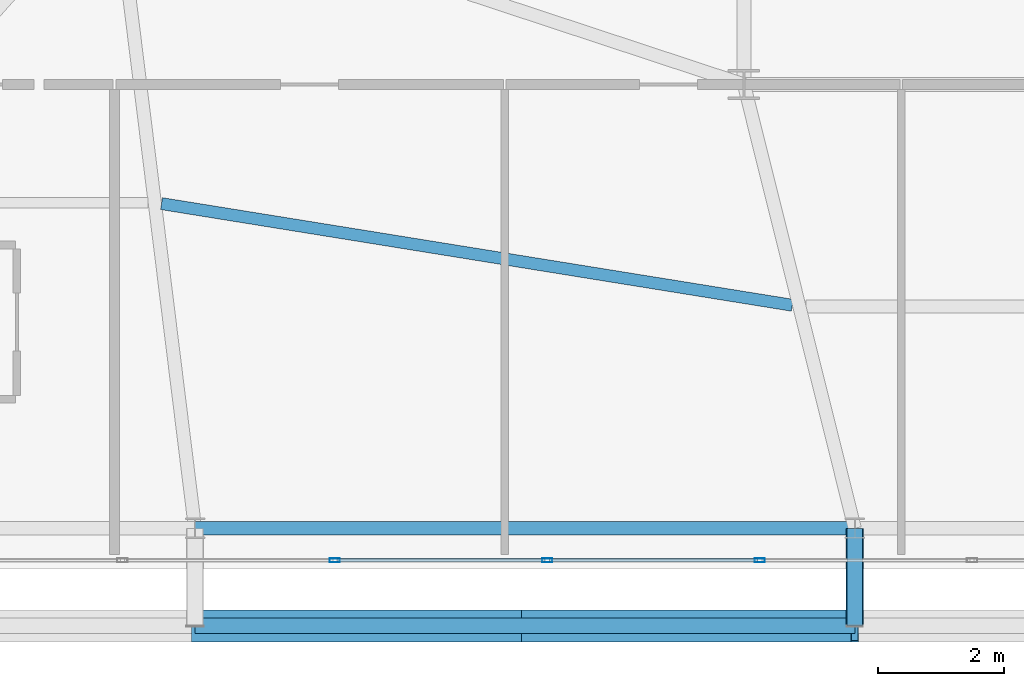
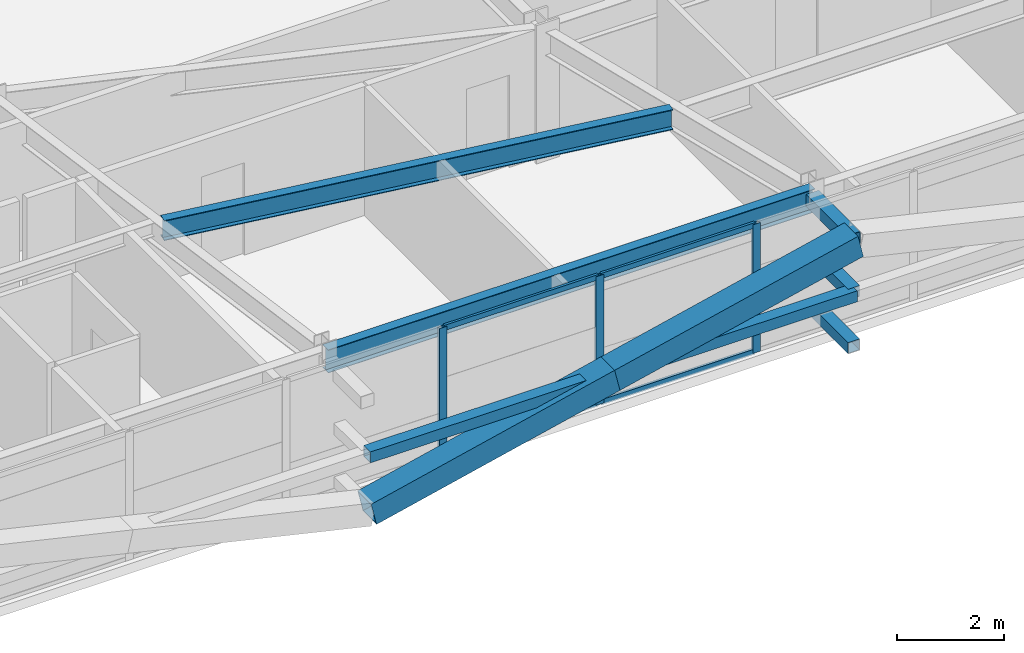
# One storey, part 11 of 58: 13 members, 2 beams, 1 element without a shape of its own.
"""IFC4 building model written with IfcOpenShell, lengths in metres."""

from ifc_helpers import new_model, si_unit, direction, frame, origin, origin_2d, place, context, subcontext, project, spatial, hollow_rectangle, i_section, extrude, source, transform, mapped, material, layer, layer_set, material_profile, profile_set, type_object, element, aggregate, save


model = new_model("IFC4")

# Units and contexts
model_context = context("Model", 3, precision=1e-05, world=origin(), true_north=direction((0.0, 1.0)))
body_context = subcontext(model_context, "Body", "Model", "MODEL_VIEW")
ifc_project = project(units=[si_unit("LENGTHUNIT", "METRE"), si_unit("AREAUNIT", "SQUARE_METRE"), si_unit("VOLUMEUNIT", "CUBIC_METRE"), si_unit("PLANEANGLEUNIT", "RADIAN"), si_unit("MASSUNIT", "GRAM", prefix="KILO")], contexts=[model_context])

# Site, building, storey
site_placement = place(None, origin())
site = spatial("IfcSite", under=ifc_project, at=site_placement, CompositionType="ELEMENT")
building_placement = place(site_placement, origin())
building = spatial("IfcBuilding", under=site, at=building_placement, Name="Taldren Reach Tower", CompositionType="ELEMENT")
storey_placement = place(building_placement, frame((0.0, 0.0, 51.449951171875)))
storey = spatial("IfcBuildingStorey", under=building, at=storey_placement, Name="L15", CompositionType="ELEMENT", Elevation=51.449951171875)

# Beams
ifc_material_1 = material(Name="Steel Gr 350 (350PLUS)", Category="steel")
ifc_material_profile_1 = material_profile(ifc_material_1, i_section(OverallWidth=0.208984375, OverallDepth=0.528076171875, WebThickness=0.009521484375, FlangeThickness=0.01318359375, at=origin_2d()), Name="530UB82.0")
ifc_profile_set_1 = profile_set([ifc_material_profile_1], Name="Steel Gr 350 (350PLUS)")
beam_type_1 = type_object("IfcBeamType", Name="SP-UB530B", PredefinedType="SPANDREL", material=ifc_profile_set_1)
shared_shape_1 = source(origin(), body_context, "Body", "SweptSolid", [
    extrude(i_section(OverallWidth=0.208984375, OverallDepth=0.528076171875, WebThickness=0.009521484375, FlangeThickness=0.01318359375, at=origin_2d()), origin(), (0.0, 0.0, 1.0), 10.47998046875),
])
beam_1_placement = place(storey_placement, frame((19.280029296875, 2.14990234375, 2.666015625), z_axis=(1.0, 0.0, 0.0), x_axis=(0.0, 1.0, 0.0)))
element("IfcBeam", 1, at=beam_1_placement, inside=storey, type_object=beam_type_1, Name="Perimeter spandrel B1 S2-S3 L15", PredefinedType="SPANDREL", context=body_context, shape_type="MappedRepresentation", body=[
    mapped(shared_shape_1, transform((0.0, 0.0, 0.0), scale=1.0)),
])
ifc_material_profile_2 = material_profile(ifc_material_1, i_section(OverallWidth=0.19091796875, OverallDepth=0.4599609375, WebThickness=0.010009765625, FlangeThickness=0.01611328125, at=origin_2d()), Name="460UB82.1")
ifc_profile_set_2 = profile_set([ifc_material_profile_2], Name="Steel Gr 350 (350PLUS)")
beam_type_2 = type_object("IfcBeamType", Name="BM-UB460A", PredefinedType="BEAM", material=ifc_profile_set_2)
shared_shape_2 = source(origin(), body_context, "Body", "SweptSolid", [
    extrude(i_section(OverallWidth=0.19091796875, OverallDepth=0.4599609375, WebThickness=0.010009765625, FlangeThickness=0.01611328125, at=origin_2d()), origin(), (0.0, 0.0, 1.0), 10.1494140625),
])
beam_2_placement = place(storey_placement, frame((18.74755859375, 7.3076171875, 2.699951171875), z_axis=(0.987266967452, -0.159072106224, 0.0), x_axis=(0.159072106224, 0.987266967452, 0.0)))
element("IfcBeam", 2, at=beam_2_placement, inside=storey, type_object=beam_type_2, Name="Secondary floor beam B1 J2 L15", PredefinedType="BEAM", context=body_context, shape_type="MappedRepresentation", body=[
    mapped(shared_shape_2, transform((0.0, 0.0, 0.0), scale=1.0)),
])

# Members
ifc_material_2 = material(Name="Steel Gr 450 (C450L0)", Category="steel")
ifc_material_profile_3 = material_profile(ifc_material_2, hollow_rectangle(XDim=0.27490234375, YDim=0.27490234375, WallThickness=0.00927734375, at=origin_2d()), Name="275x275x9.3SHS")
ifc_profile_set_3 = profile_set([ifc_material_profile_3], Name="Steel Gr 450 (C450L0)")
member_type_1 = type_object("IfcMemberType", Name="MB-TIE273", PredefinedType="STRUT", material=ifc_profile_set_3)
shared_shape_3 = source(origin(), body_context, "Body", "SweptSolid", [
    extrude(hollow_rectangle(XDim=0.27490234375, YDim=0.27490234375, WallThickness=0.00927734375, at=origin_2d()), origin(), (0.0, 0.0, 1.0), 1.5498046875),
])
member_1_placement = place(storey_placement, frame((29.760009765625, 2.14990234375, 2.650146484375), z_axis=(0.0, -1.0, 0.0), x_axis=(1.0, 0.0, 0.0)))
element("IfcMember", 3, at=member_1_placement, inside=storey, type_object=member_type_1, Name="Exoskeleton diaphragm tie strut B1-S3 L15", PredefinedType="STRUT", context=body_context, shape_type="MappedRepresentation", body=[
    mapped(shared_shape_3, transform((0.0, 0.0, 0.0), scale=1.0)),
])
ifc_material_profile_4 = material_profile(ifc_material_2, hollow_rectangle(XDim=0.510009765625, YDim=0.510009765625, WallThickness=0.02001953125, at=origin_2d()), Name="510x510x20.0SHS")
ifc_profile_set_4 = profile_set([ifc_material_profile_4], Name="Steel Gr 450 (C450L0)")
member_type_2 = type_object("IfcMemberType", Name="MB-EXO508", PredefinedType="BRACE", material=ifc_profile_set_4)
shared_shape_4 = source(origin(), body_context, "Body", "SweptSolid", [
    extrude(hollow_rectangle(XDim=0.510009765625, YDim=0.510009765625, WallThickness=0.02001953125, at=origin_2d()), origin(), (0.0, 0.0, 1.0), 5.37890625),
])
for number, where, z_axis, x_axis, name in (
    (4, (19.280029296875, 0.60009765625, 0.219970703125), (0.97415197996, 0.0, 0.225893603143), (0.0, 1.0, 0.0), "Exoskeleton Diagrid Brace B1-S2 L15"),
    (5, (24.52001953125, 0.60009765625, 1.43505859375), (0.97415197996, 0.0, 0.225893603143), (0.0, 1.0, 0.0), "Exoskeleton Diagrid Brace B1-S2 L15"),
):
    element("IfcMember", number, at=place(storey_placement, frame(where, z_axis=z_axis, x_axis=x_axis)), inside=storey, type_object=member_type_2, Name=name, PredefinedType="BRACE", context=body_context, shape_type="MappedRepresentation", body=[
        mapped(shared_shape_4, transform((0.0, 0.0, 0.0), scale=1.0)),
    ])
ifc_material_3 = material(Name="Steel Gr 350 (C350L0)", Category="steel")
ifc_material_profile_5 = material_profile(ifc_material_3, hollow_rectangle(XDim=0.25, YDim=0.25, WallThickness=0.010009765625, at=origin_2d()), Name="250x250x10.0SHS")
ifc_profile_set_5 = profile_set([ifc_material_profile_5], Name="Steel Gr 350 (C350L0)")
member_type_3 = type_object("IfcMemberType", Name="MB-POST250", PredefinedType="POST", material=ifc_profile_set_5)
shared_shape_5 = source(origin(), body_context, "Body", "SweptSolid", [
    extrude(hollow_rectangle(XDim=0.25, YDim=0.25, WallThickness=0.010009765625, at=origin_2d()), origin(), (0.0, 0.0, 1.0), 10.47998046875),
])
member_2_placement = place(storey_placement, frame((19.280029296875, 0.60009765625, 1.43505859375), z_axis=(1.0, 0.0, 0.0), x_axis=(0.0, 1.0, 0.0)))
element("IfcMember", 6, at=member_2_placement, inside=storey, type_object=member_type_3, Name="Exoskeleton mid-height ring chord B1-S2 L15", PredefinedType="POST", context=body_context, shape_type="MappedRepresentation", body=[
    mapped(shared_shape_5, transform((0.0, 0.0, 0.0), scale=1.0)),
])
shared_shape_6 = source(origin(), body_context, "Body", "SweptSolid", [
    extrude(hollow_rectangle(XDim=0.25, YDim=0.25, WallThickness=0.010009765625, at=origin_2d()), origin(), (0.0, 0.0, 1.0), 1.5498046875),
])
for number, where, z_axis, x_axis, name in (
    (7, (29.760009765625, 2.14990234375, 0.219970703125), (0.0, -1.0, 0.0), (1.0, 0.0, 0.0), "Exoskeleton base diaphragm tie strut B1-S3 L15"),
    (8, (29.760009765625, 2.14990234375, 1.43505859375), (0.0, -1.0, 0.0), (1.0, 0.0, 0.0), "Exoskeleton mid-tier diaphragm tie B1-S3 L15"),
):
    element("IfcMember", number, at=place(storey_placement, frame(where, z_axis=z_axis, x_axis=x_axis)), inside=storey, type_object=member_type_3, Name=name, PredefinedType="POST", context=body_context, shape_type="MappedRepresentation", body=[
        mapped(shared_shape_6, transform((0.0, 0.0, 0.0), scale=1.0)),
    ])

# Curtain wall, members
ifc_material_4 = material(Name="Aluminium and Low-E Glass Unitised System", Category="aluminium")
ifc_layer = layer(ifc_material_4, 0.159912109375)
ifc_layer_set = layer_set([ifc_layer], Name="Aluminium and Low-E Glass Unitised System")
curtain_wall_type = type_object("IfcCurtainWallType", Name="CW-SYS-2", PredefinedType="NOTDEFINED", material=ifc_layer_set)
curtain_wall_placement = place(storey_placement, origin())
curtain_wall = element("IfcCurtainWall", 9, at=curtain_wall_placement, inside=storey, type_object=curtain_wall_type, Name="Unitised curtain wall CW-L15-S", PredefinedType="NOTDEFINED")
ifc_material_5 = material(Name="Anodised Aluminium 6063-T6", Category="aluminium")
ifc_material_profile_6 = material_profile(ifc_material_5, hollow_rectangle(XDim=0.06494140625, YDim=0.1650390625, WallThickness=0.00390625, at=origin_2d()), Name="ALU-165x65x4RHS")
ifc_profile_set_6 = profile_set([ifc_material_profile_6], Name="Anodised Aluminium 6063-T6")
member_type_4 = type_object("IfcMemberType", Name="CW-MUL-165", PredefinedType="MULLION", material=ifc_profile_set_6)
shared_shape_7 = source(origin(), body_context, "Body", "SweptSolid", [
    extrude(hollow_rectangle(XDim=0.06494140625, YDim=0.1650390625, WallThickness=0.00390625, at=origin_2d()), origin(), (0.0, 0.0, 1.0), 2.929931640625),
])
member_3_placement = place(storey_placement, frame((21.5, 1.639892578125, 0.0), z_axis=(0.0, 0.0, 1.0), x_axis=(0.0, 1.0, 0.0)))
member_3 = element("IfcMember", 10, at=member_3_placement, type_object=member_type_4, Name="CW-2 mullion 5", PredefinedType="MULLION", context=body_context, shape_type="MappedRepresentation", body=[
    mapped(shared_shape_7, transform((0.0, 0.0, 0.0), scale=1.0)),
])
member_4_placement = place(storey_placement, frame((24.875, 1.639892578125, 0.0), z_axis=(0.0, 0.0, 1.0), x_axis=(0.0, 1.0, 0.0)))
member_4 = element("IfcMember", 11, at=member_4_placement, type_object=member_type_4, Name="CW-2 mullion 6", PredefinedType="MULLION", context=body_context, shape_type="MappedRepresentation", body=[
    mapped(shared_shape_7, transform((0.0, 0.0, 0.0), scale=1.0)),
])
member_5_placement = place(storey_placement, frame((28.25, 1.639892578125, 0.0), z_axis=(0.0, 0.0, 1.0), x_axis=(0.0, 1.0, 0.0)))
member_5 = element("IfcMember", 12, at=member_5_placement, type_object=member_type_4, Name="CW-2 mullion 7", PredefinedType="MULLION", context=body_context, shape_type="MappedRepresentation", body=[
    mapped(shared_shape_7, transform((0.0, 0.0, 0.0), scale=1.0)),
])
ifc_material_profile_7 = material_profile(ifc_material_5, hollow_rectangle(XDim=0.054931640625, YDim=0.1201171875, WallThickness=0.0029296875, at=origin_2d()), Name="ALU-120x55x3RHS")
ifc_profile_set_7 = profile_set([ifc_material_profile_7], Name="Anodised Aluminium 6063-T6")
member_type_5 = type_object("IfcMemberType", Name="CW-TRN-135", PredefinedType="USERDEFINED", material=ifc_profile_set_7)
shared_shape_8 = source(origin(), body_context, "Body", "SweptSolid", [
    extrude(hollow_rectangle(XDim=0.054931640625, YDim=0.1201171875, WallThickness=0.0029296875, at=origin_2d()), origin(), (0.0, 0.0, 1.0), 3.31005859375),
])
member_6_placement = place(storey_placement, frame((21.532470703125, 1.639892578125, 0.027587890625), z_axis=(1.0, 0.0, 0.0), x_axis=(0.0, 1.0, 0.0)))
member_6 = element("IfcMember", 13, at=member_6_placement, type_object=member_type_5, Name="CW-2 transom 5.1", ObjectType="TRANSOM", PredefinedType="USERDEFINED", context=body_context, shape_type="MappedRepresentation", body=[
    mapped(shared_shape_8, transform((0.0, 0.0, 0.0), scale=1.0)),
])
member_7_placement = place(storey_placement, frame((21.532470703125, 1.639892578125, 2.902587890625), z_axis=(1.0, 0.0, 0.0), x_axis=(0.0, 1.0, 0.0)))
member_7 = element("IfcMember", 14, at=member_7_placement, type_object=member_type_5, Name="CW-2 transom 5.2", ObjectType="TRANSOM", PredefinedType="USERDEFINED", context=body_context, shape_type="MappedRepresentation", body=[
    mapped(shared_shape_8, transform((0.0, 0.0, 0.0), scale=1.0)),
])
member_8_placement = place(storey_placement, frame((24.907470703125, 1.639892578125, 0.027587890625), z_axis=(1.0, 0.0, 0.0), x_axis=(0.0, 1.0, 0.0)))
member_8 = element("IfcMember", 15, at=member_8_placement, type_object=member_type_5, Name="CW-2 transom 6.1", ObjectType="TRANSOM", PredefinedType="USERDEFINED", context=body_context, shape_type="MappedRepresentation", body=[
    mapped(shared_shape_8, transform((0.0, 0.0, 0.0), scale=1.0)),
])
member_9_placement = place(storey_placement, frame((24.907470703125, 1.639892578125, 2.902587890625), z_axis=(1.0, 0.0, 0.0), x_axis=(0.0, 1.0, 0.0)))
member_9 = element("IfcMember", 16, at=member_9_placement, type_object=member_type_5, Name="CW-2 transom 6.2", ObjectType="TRANSOM", PredefinedType="USERDEFINED", context=body_context, shape_type="MappedRepresentation", body=[
    mapped(shared_shape_8, transform((0.0, 0.0, 0.0), scale=1.0)),
])
aggregate(curtain_wall, [member_3, member_4, member_5, member_6, member_7, member_8, member_9])

save(model, "model.ifc")
